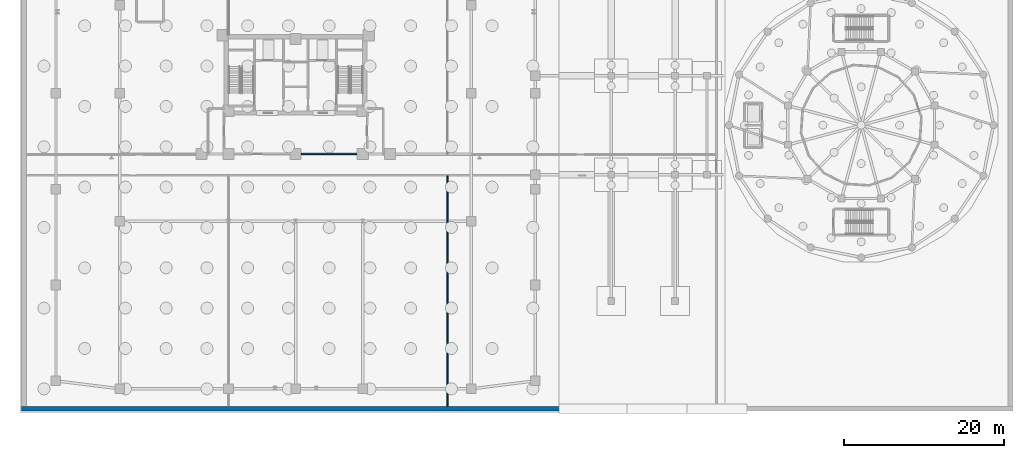
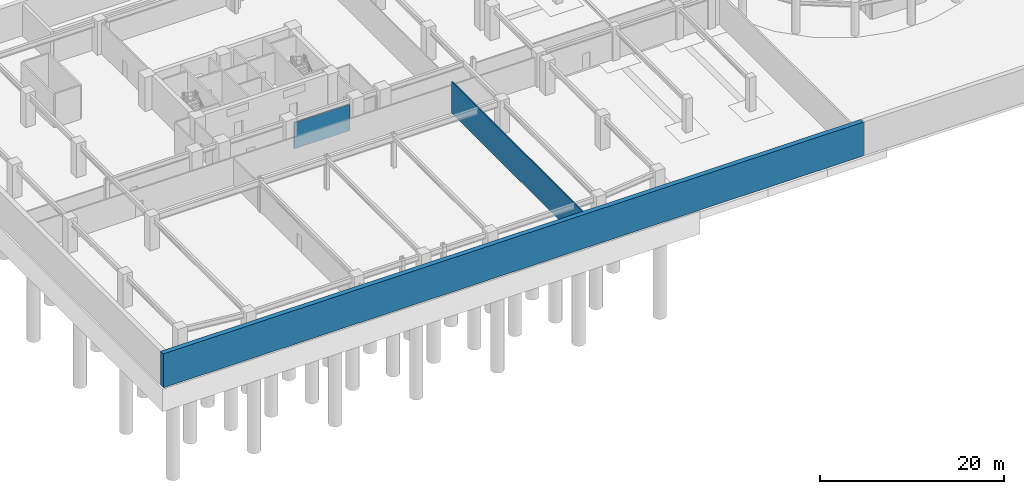
# One storey, part 7 of 15: 3 walls.
"""IFC4 building model written with IfcOpenShell, lengths in metres."""

from ifc_helpers import new_model, si_unit, derived_unit, direction, frame, frame_2d, origin, place, context, subcontext, project, spatial, rectangle, extrude, material, layer, layer_set, type_object, element, save


model = new_model("IFC4")

# Units and contexts
model_context = context("Model", 3, precision=1e-05, world=origin(), true_north=direction((0.0, 1.0)))
body_context = subcontext(model_context, "Body", "Model", "MODEL_VIEW")
ifc_project = project(units=[si_unit("LENGTHUNIT", "METRE"), si_unit("AREAUNIT", "SQUARE_METRE"), si_unit("VOLUMEUNIT", "CUBIC_METRE"), si_unit("PLANEANGLEUNIT", "RADIAN"), si_unit("MASSUNIT", "GRAM", prefix="KILO"), derived_unit("THERMALTRANSMITTANCEUNIT", [(si_unit("POWERUNIT", "WATT"), 1), (si_unit("LENGTHUNIT", "METRE"), -2), (si_unit("THERMODYNAMICTEMPERATUREUNIT", "KELVIN"), -1)])], contexts=[model_context])

# Site, building, storey
site_placement = place(None, origin())
site = spatial("IfcSite", under=ifc_project, at=site_placement, CompositionType="ELEMENT")
building_placement = place(site_placement, origin())
building = spatial("IfcBuilding", under=site, at=building_placement, Name="Korsvarv Bourse and Concert Hall", CompositionType="ELEMENT")
storey_placement = place(building_placement, frame((0.0, 0.0, -9.0)))
storey = spatial("IfcBuildingStorey", under=building, at=storey_placement, Name="B02", CompositionType="ELEMENT", Elevation=-9.0)

# Walls
ifc_material_1 = material(Name="Gypsum-clad autoclaved concrete shaft wall C30/37", Category="concrete")
ifc_layer_1 = layer(ifc_material_1, 0.179931640625)
ifc_layer_set_1 = layer_set([ifc_layer_1], Name="Gypsum-clad autoclaved concrete shaft wall C30/37")
wall_type_1 = type_object("IfcWallType", Name="WL-INT-EI90", PredefinedType="PARTITIONING", material=ifc_layer_set_1)
wall_1_placement = place(storey_placement, frame((36.719970703125, 32.39990234375, 0.0), z_axis=(0.0, 0.0, 1.0), x_axis=(1.0, 0.0, 0.0)))
element("IfcWall", 1, at=wall_1_placement, inside=storey, type_object=wall_type_1, Name="B02 interior partition wall W-B02-CB-SE", PredefinedType="PARTITIONING", context=body_context, shape_type="SweptSolid", body=[
    extrude(rectangle(XDim=6.9599609375, YDim=0.179931640625, at=frame_2d((3.47998046875, 0.0))), origin(), (0.0, 0.0, 1.0), 3.47998046875),
])
ifc_material_2 = material(Name="Insulated steel-stud office acoustic partition", Category="gypsum")
ifc_layer_2 = layer(ifc_material_2, 0.139892578125)
ifc_layer_set_2 = layer_set([ifc_layer_2], Name="Insulated steel-stud office acoustic partition")
wall_type_2 = type_object("IfcWallType", Name="WL-INT-P1", PredefinedType="PARTITIONING", material=ifc_layer_set_2)
wall_2_placement = place(storey_placement, frame((55.0048828125, 0.802001953125, 0.0), z_axis=(0.0, 0.0, 1.0), x_axis=(0.0, 1.0, 0.0)))
element("IfcWall", 2, at=wall_2_placement, inside=storey, type_object=wall_type_2, Name="B02 interior partition wall W-B02-BCOR-09", PredefinedType="PARTITIONING", context=body_context, shape_type="SweptSolid", body=[
    extrude(rectangle(XDim=28.841064453125, YDim=0.139892578125, at=frame_2d((14.42041015625, 0.0))), origin(), (0.0, 0.0, 1.0), 4.179931640625),
])
ifc_material_3 = material(Name="Concrete C50/60", Category="concrete")
ifc_layer_3 = layer(ifc_material_3, 0.60009765625)
ifc_layer_set_3 = layer_set([ifc_layer_3], Name="Concrete C50/60")
wall_type_3 = type_object("IfcWallType", Name="WL-RET-600", PredefinedType="SOLIDWALL", material=ifc_layer_set_3)
wall_3_placement = place(storey_placement, frame((1.699951171875, 0.5, 0.0), z_axis=(0.0, 0.0, 1.0), x_axis=(1.0, 0.0, 0.0)))
element("IfcWall", 3, at=wall_3_placement, inside=storey, type_object=wall_type_3, Name="B02 West-Block South Basement Retaining Wall", PredefinedType="SOLIDWALL", context=body_context, shape_type="SweptSolid", body=[
    extrude(rectangle(XDim=87.97998046875, YDim=0.60009765625, at=frame_2d((43.989990234375, 0.0))), origin(), (0.0, 0.0, 1.0), 4.5),
])

save(model, "model.ifc")
